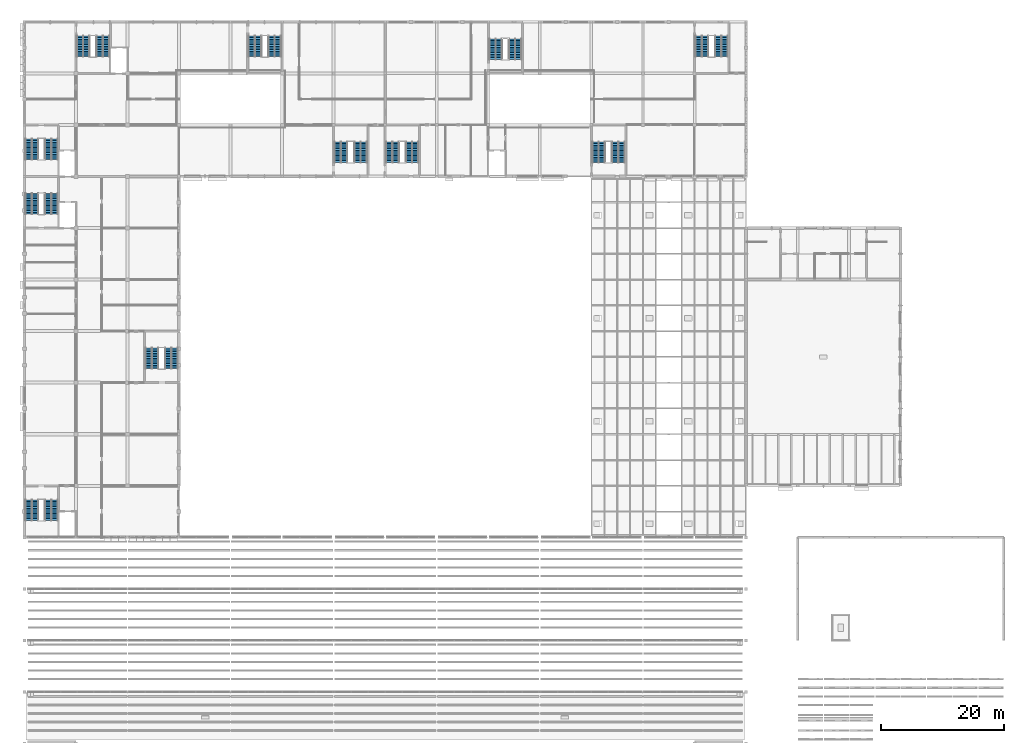
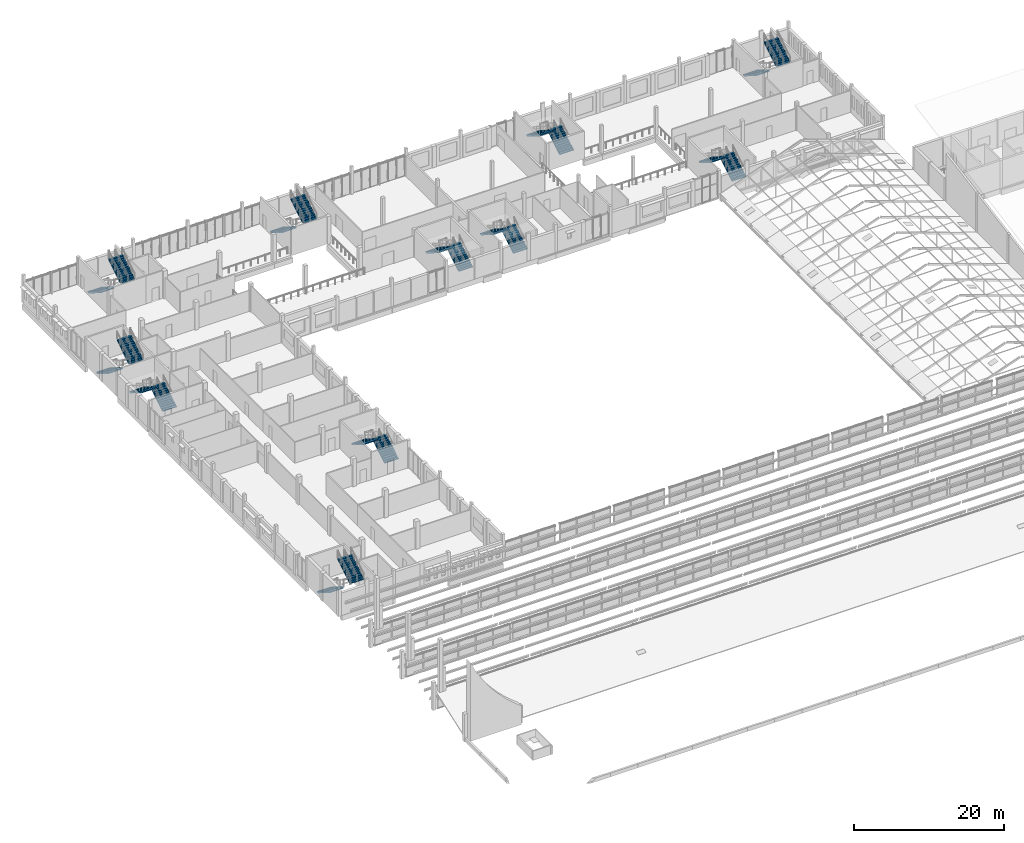
# One storey, part 106 of 116: 22 stair flights, 11 elements without a shape of their own.
"""IFC4 building model written with IfcOpenShell, lengths in metres."""

from ifc_helpers import new_model, si_unit, direction, frame, origin, place, context, subcontext, project, spatial, polyline, outline, extrude, material, type_object, element, aggregate, save


model = new_model("IFC4")

# Units and contexts
model_context = context("Model", 3, precision=1e-05, world=origin(), true_north=direction((0.0, 1.0)))
body_context = subcontext(model_context, "Body", "Model", "MODEL_VIEW")
ifc_project = project(units=[si_unit("LENGTHUNIT", "METRE"), si_unit("AREAUNIT", "SQUARE_METRE"), si_unit("VOLUMEUNIT", "CUBIC_METRE"), si_unit("PLANEANGLEUNIT", "RADIAN"), si_unit("MASSUNIT", "GRAM", prefix="KILO")], contexts=[model_context])

# Site, building, storey
site_placement = place(None, origin())
site = spatial("IfcSite", under=ifc_project, at=site_placement, CompositionType="ELEMENT")
building_placement = place(site_placement, origin())
building = spatial("IfcBuilding", under=site, at=building_placement, Name="Fescue Hill Polytechnic", CompositionType="ELEMENT")
storey_placement = place(building_placement, frame((0.0, 0.0, 13.5)))
storey = spatial("IfcBuildingStorey", under=building, at=storey_placement, Name="L03", CompositionType="ELEMENT", Elevation=13.5)

# Stair, stair flights
ifc_material = material(Name="Concrete 35 MPa", Category="concrete")
stair_type = type_object("IfcStairType", Name="Half-turn stair 2150 flights", PredefinedType="HALF_TURN_STAIR", material=ifc_material)
stair_1_placement = place(storey_placement, origin())
stair_1 = element("IfcStair", 1, at=stair_1_placement, inside=storey, type_object=stair_type, Name="L03 ST-V4-1 stair", PredefinedType="HALF_TURN_STAIR")
stair_flight_type = type_object("IfcStairFlightType", Name="Stair flight 2150 wide", PredefinedType="STRAIGHT", material=ifc_material)
stair_flight_1_placement = place(storey_placement, frame((1.22509765625, 56.52490234375, 0.0), z_axis=(0.0, 0.0, 1.0), x_axis=(0.0, -1.0, 0.0)))
stair_flight_1 = element("IfcStairFlight", 2, at=stair_flight_1_placement, type_object=stair_flight_type, Name="S15 flight 1", NumberOfRisers=13, NumberOfTreads=12, PredefinedType="STRAIGHT", RiserHeight=0.173076923, TreadLength=0.28, context=body_context, shape_type="SweptSolid", body=[
    extrude(outline(polyline([(0.0, 0.0), (0.0, 0.173095703125), (0.280029296875, 0.173095703125), (0.280029296875, 0.34619140625), (0.56005859375, 0.34619140625), (0.56005859375, 0.519287109375), (0.840087890625, 0.519287109375), (0.840087890625, 0.6923828125), (1.1201171875, 0.6923828125), (1.1201171875, 0.865478515625), (1.39990234375, 0.865478515625), (1.39990234375, 1.03857421875), (1.679931640625, 1.03857421875), (1.679931640625, 1.21142578125), (1.9599609375, 1.21142578125), (1.9599609375, 1.384521484375), (2.239990234375, 1.384521484375), (2.239990234375, 1.5576171875), (2.52001953125, 1.5576171875), (2.52001953125, 1.730712890625), (2.800048828125, 1.730712890625), (2.800048828125, 1.90380859375), (3.080078125, 1.90380859375), (3.080078125, 2.076904296875), (3.360107421875, 2.076904296875), (3.360107421875, 2.25), (3.360107421875, 1.900634765625), (0.28515625, 0.0), (0.0, 0.0)])), frame((0.0, 1.074951171875, 0.0), z_axis=(0.0, -1.0, 0.0), x_axis=(1.0, 0.0, 0.0)), (0.0, 0.0, 1.0), 2.14990234375),
])
stair_flight_2_placement = place(storey_placement, frame((4.39990234375, 53.1650390625, 2.25), z_axis=(0.0, 0.0, 1.0), x_axis=(0.0, 1.0, 0.0)))
stair_flight_2 = element("IfcStairFlight", 3, at=stair_flight_2_placement, type_object=stair_flight_type, Name="S15 flight 2", NumberOfRisers=13, NumberOfTreads=12, PredefinedType="STRAIGHT", RiserHeight=0.173076923, TreadLength=0.28, context=body_context, shape_type="SweptSolid", body=[
    extrude(outline(polyline([(0.0, 0.0), (0.0, 0.173095703125), (0.280029296875, 0.173095703125), (0.280029296875, 0.34619140625), (0.56005859375, 0.34619140625), (0.56005859375, 0.519287109375), (0.840087890625, 0.519287109375), (0.840087890625, 0.6923828125), (1.1201171875, 0.6923828125), (1.1201171875, 0.865478515625), (1.39990234375, 0.865478515625), (1.39990234375, 1.03857421875), (1.679931640625, 1.03857421875), (1.679931640625, 1.21142578125), (1.9599609375, 1.21142578125), (1.9599609375, 1.384521484375), (2.239990234375, 1.384521484375), (2.239990234375, 1.5576171875), (2.52001953125, 1.5576171875), (2.52001953125, 1.730712890625), (2.800048828125, 1.730712890625), (2.800048828125, 1.90380859375), (3.080078125, 1.90380859375), (3.080078125, 2.076904296875), (3.360107421875, 2.076904296875), (3.360107421875, 2.25), (3.360107421875, 1.900634765625), (0.28515625, 0.0), (0.0, 0.0)])), frame((0.0, 1.074951171875, 0.0), z_axis=(0.0, -1.0, 0.0), x_axis=(1.0, 0.0, 0.0)), (0.0, 0.0, 1.0), 2.14990234375),
])
aggregate(stair_1, [stair_flight_1, stair_flight_2])

stair_2_placement = place(storey_placement, origin())
stair_2 = element("IfcStair", 4, at=stair_2_placement, inside=storey, type_object=stair_type, Name="L03 ST-V4-2 stair", PredefinedType="HALF_TURN_STAIR")
stair_flight_3_placement = place(storey_placement, frame((4.39990234375, 103.074951171875, 0.0), z_axis=(0.0, 0.0, 1.0), x_axis=(0.0, 1.0, 0.0)))
stair_flight_3 = element("IfcStairFlight", 5, at=stair_flight_3_placement, type_object=stair_flight_type, Name="S16 flight 1", NumberOfRisers=13, NumberOfTreads=12, PredefinedType="STRAIGHT", RiserHeight=0.173076923, TreadLength=0.28, context=body_context, shape_type="SweptSolid", body=[
    extrude(outline(polyline([(0.0, 0.0), (0.0, 0.173095703125), (0.280029296875, 0.173095703125), (0.280029296875, 0.34619140625), (0.56005859375, 0.34619140625), (0.56005859375, 0.519287109375), (0.840087890625, 0.519287109375), (0.840087890625, 0.6923828125), (1.1201171875, 0.6923828125), (1.1201171875, 0.865478515625), (1.39990234375, 0.865478515625), (1.39990234375, 1.03857421875), (1.679931640625, 1.03857421875), (1.679931640625, 1.21142578125), (1.9599609375, 1.21142578125), (1.9599609375, 1.384521484375), (2.239990234375, 1.384521484375), (2.239990234375, 1.5576171875), (2.52001953125, 1.5576171875), (2.52001953125, 1.730712890625), (2.800048828125, 1.730712890625), (2.800048828125, 1.90380859375), (3.080078125, 1.90380859375), (3.080078125, 2.076904296875), (3.360107421875, 2.076904296875), (3.360107421875, 2.25), (3.360107421875, 1.900634765625), (0.28515625, 0.0), (0.0, 0.0)])), frame((0.0, 1.074951171875, 0.0), z_axis=(0.0, -1.0, 0.0), x_axis=(1.0, 0.0, 0.0)), (0.0, 0.0, 1.0), 2.14990234375),
])
stair_flight_4_placement = place(storey_placement, frame((1.22509765625, 106.43505859375, 2.25), z_axis=(0.0, 0.0, 1.0), x_axis=(0.0, -1.0, 0.0)))
stair_flight_4 = element("IfcStairFlight", 6, at=stair_flight_4_placement, type_object=stair_flight_type, Name="S16 flight 2", NumberOfRisers=13, NumberOfTreads=12, PredefinedType="STRAIGHT", RiserHeight=0.173076923, TreadLength=0.28, context=body_context, shape_type="SweptSolid", body=[
    extrude(outline(polyline([(0.0, 0.0), (0.0, 0.173095703125), (0.280029296875, 0.173095703125), (0.280029296875, 0.34619140625), (0.56005859375, 0.34619140625), (0.56005859375, 0.519287109375), (0.840087890625, 0.519287109375), (0.840087890625, 0.6923828125), (1.1201171875, 0.6923828125), (1.1201171875, 0.865478515625), (1.39990234375, 0.865478515625), (1.39990234375, 1.03857421875), (1.679931640625, 1.03857421875), (1.679931640625, 1.21142578125), (1.9599609375, 1.21142578125), (1.9599609375, 1.384521484375), (2.239990234375, 1.384521484375), (2.239990234375, 1.5576171875), (2.52001953125, 1.5576171875), (2.52001953125, 1.730712890625), (2.800048828125, 1.730712890625), (2.800048828125, 1.90380859375), (3.080078125, 1.90380859375), (3.080078125, 2.076904296875), (3.360107421875, 2.076904296875), (3.360107421875, 2.25), (3.360107421875, 1.900634765625), (0.28515625, 0.0), (0.0, 0.0)])), frame((0.0, 1.074951171875, 0.0), z_axis=(0.0, -1.0, 0.0), x_axis=(1.0, 0.0, 0.0)), (0.0, 0.0, 1.0), 2.14990234375),
])
aggregate(stair_2, [stair_flight_3, stair_flight_4])

stair_3_placement = place(storey_placement, origin())
stair_3 = element("IfcStair", 7, at=stair_3_placement, inside=storey, type_object=stair_type, Name="L03 ST-V4-3 stair", PredefinedType="HALF_TURN_STAIR")
stair_flight_5_placement = place(storey_placement, frame((23.97509765625, 77.875, 0.0), z_axis=(0.0, 0.0, 1.0), x_axis=(0.0, 1.0, 0.0)))
stair_flight_5 = element("IfcStairFlight", 8, at=stair_flight_5_placement, type_object=stair_flight_type, Name="S17 flight 1", NumberOfRisers=13, NumberOfTreads=12, PredefinedType="STRAIGHT", RiserHeight=0.173076923, TreadLength=0.28, context=body_context, shape_type="SweptSolid", body=[
    extrude(outline(polyline([(0.0, 0.0), (0.0, 0.173095703125), (0.280029296875, 0.173095703125), (0.280029296875, 0.34619140625), (0.56005859375, 0.34619140625), (0.56005859375, 0.519287109375), (0.840087890625, 0.519287109375), (0.840087890625, 0.6923828125), (1.1201171875, 0.6923828125), (1.1201171875, 0.865478515625), (1.39990234375, 0.865478515625), (1.39990234375, 1.03857421875), (1.679931640625, 1.03857421875), (1.679931640625, 1.21142578125), (1.9599609375, 1.21142578125), (1.9599609375, 1.384521484375), (2.239990234375, 1.384521484375), (2.239990234375, 1.5576171875), (2.52001953125, 1.5576171875), (2.52001953125, 1.730712890625), (2.800048828125, 1.730712890625), (2.800048828125, 1.90380859375), (3.080078125, 1.90380859375), (3.080078125, 2.076904296875), (3.360107421875, 2.076904296875), (3.360107421875, 2.25), (3.360107421875, 1.900634765625), (0.28515625, 0.0), (0.0, 0.0)])), frame((0.0, 1.074951171875, 0.0), z_axis=(0.0, -1.0, 0.0), x_axis=(1.0, 0.0, 0.0)), (0.0, 0.0, 1.0), 2.14990234375),
])
stair_flight_6_placement = place(storey_placement, frame((20.800048828125, 81.235107421875, 2.25), z_axis=(0.0, 0.0, 1.0), x_axis=(0.0, -1.0, 0.0)))
stair_flight_6 = element("IfcStairFlight", 9, at=stair_flight_6_placement, type_object=stair_flight_type, Name="S17 flight 2", NumberOfRisers=13, NumberOfTreads=12, PredefinedType="STRAIGHT", RiserHeight=0.173076923, TreadLength=0.28, context=body_context, shape_type="SweptSolid", body=[
    extrude(outline(polyline([(0.0, 0.0), (0.0, 0.173095703125), (0.280029296875, 0.173095703125), (0.280029296875, 0.34619140625), (0.56005859375, 0.34619140625), (0.56005859375, 0.519287109375), (0.840087890625, 0.519287109375), (0.840087890625, 0.6923828125), (1.1201171875, 0.6923828125), (1.1201171875, 0.865478515625), (1.39990234375, 0.865478515625), (1.39990234375, 1.03857421875), (1.679931640625, 1.03857421875), (1.679931640625, 1.21142578125), (1.9599609375, 1.21142578125), (1.9599609375, 1.384521484375), (2.239990234375, 1.384521484375), (2.239990234375, 1.5576171875), (2.52001953125, 1.5576171875), (2.52001953125, 1.730712890625), (2.800048828125, 1.730712890625), (2.800048828125, 1.90380859375), (3.080078125, 1.90380859375), (3.080078125, 2.076904296875), (3.360107421875, 2.076904296875), (3.360107421875, 2.25), (3.360107421875, 1.900634765625), (0.28515625, 0.0), (0.0, 0.0)])), frame((0.0, 1.074951171875, 0.0), z_axis=(0.0, -1.0, 0.0), x_axis=(1.0, 0.0, 0.0)), (0.0, 0.0, 1.0), 2.14990234375),
])
aggregate(stair_3, [stair_flight_5, stair_flight_6])

stair_4_placement = place(storey_placement, origin())
stair_4 = element("IfcStair", 10, at=stair_4_placement, inside=storey, type_object=stair_type, Name="L03 ST-V5-1 stair", PredefinedType="HALF_TURN_STAIR")
stair_flight_7_placement = place(storey_placement, frame((1.22509765625, 115.324951171875, 0.0), z_axis=(0.0, 0.0, 1.0), x_axis=(0.0, -1.0, 0.0)))
stair_flight_7 = element("IfcStairFlight", 11, at=stair_flight_7_placement, type_object=stair_flight_type, Name="S18 flight 1", NumberOfRisers=13, NumberOfTreads=12, PredefinedType="STRAIGHT", RiserHeight=0.173076923, TreadLength=0.28, context=body_context, shape_type="SweptSolid", body=[
    extrude(outline(polyline([(0.0, 0.0), (0.0, 0.173095703125), (0.280029296875, 0.173095703125), (0.280029296875, 0.34619140625), (0.56005859375, 0.34619140625), (0.56005859375, 0.519287109375), (0.840087890625, 0.519287109375), (0.840087890625, 0.6923828125), (1.1201171875, 0.6923828125), (1.1201171875, 0.865478515625), (1.39990234375, 0.865478515625), (1.39990234375, 1.03857421875), (1.679931640625, 1.03857421875), (1.679931640625, 1.21142578125), (1.9599609375, 1.21142578125), (1.9599609375, 1.384521484375), (2.239990234375, 1.384521484375), (2.239990234375, 1.5576171875), (2.52001953125, 1.5576171875), (2.52001953125, 1.730712890625), (2.800048828125, 1.730712890625), (2.800048828125, 1.90380859375), (3.080078125, 1.90380859375), (3.080078125, 2.076904296875), (3.360107421875, 2.076904296875), (3.360107421875, 2.25), (3.360107421875, 1.900634765625), (0.28515625, 0.0), (0.0, 0.0)])), frame((0.0, 1.074951171875, 0.0), z_axis=(0.0, -1.0, 0.0), x_axis=(1.0, 0.0, 0.0)), (0.0, 0.0, 1.0), 2.14990234375),
])
stair_flight_8_placement = place(storey_placement, frame((4.39990234375, 111.965087890625, 2.25), z_axis=(0.0, 0.0, 1.0), x_axis=(0.0, 1.0, 0.0)))
stair_flight_8 = element("IfcStairFlight", 12, at=stair_flight_8_placement, type_object=stair_flight_type, Name="S18 flight 2", NumberOfRisers=13, NumberOfTreads=12, PredefinedType="STRAIGHT", RiserHeight=0.173076923, TreadLength=0.28, context=body_context, shape_type="SweptSolid", body=[
    extrude(outline(polyline([(0.0, 0.0), (0.0, 0.173095703125), (0.280029296875, 0.173095703125), (0.280029296875, 0.34619140625), (0.56005859375, 0.34619140625), (0.56005859375, 0.519287109375), (0.840087890625, 0.519287109375), (0.840087890625, 0.6923828125), (1.1201171875, 0.6923828125), (1.1201171875, 0.865478515625), (1.39990234375, 0.865478515625), (1.39990234375, 1.03857421875), (1.679931640625, 1.03857421875), (1.679931640625, 1.21142578125), (1.9599609375, 1.21142578125), (1.9599609375, 1.384521484375), (2.239990234375, 1.384521484375), (2.239990234375, 1.5576171875), (2.52001953125, 1.5576171875), (2.52001953125, 1.730712890625), (2.800048828125, 1.730712890625), (2.800048828125, 1.90380859375), (3.080078125, 1.90380859375), (3.080078125, 2.076904296875), (3.360107421875, 2.076904296875), (3.360107421875, 2.25), (3.360107421875, 1.900634765625), (0.28515625, 0.0), (0.0, 0.0)])), frame((0.0, 1.074951171875, 0.0), z_axis=(0.0, -1.0, 0.0), x_axis=(1.0, 0.0, 0.0)), (0.0, 0.0, 1.0), 2.14990234375),
])
aggregate(stair_4, [stair_flight_7, stair_flight_8])

stair_5_placement = place(storey_placement, origin())
stair_5 = element("IfcStair", 13, at=stair_5_placement, inside=storey, type_object=stair_type, Name="L03 ST-V5-2 stair", PredefinedType="HALF_TURN_STAIR")
stair_flight_9_placement = place(storey_placement, frame((37.60009765625, 132.10009765625, 0.0), z_axis=(0.0, 0.0, 1.0), x_axis=(0.0, -1.0, 0.0)))
stair_flight_9 = element("IfcStairFlight", 14, at=stair_flight_9_placement, type_object=stair_flight_type, Name="S19 flight 1", NumberOfRisers=13, NumberOfTreads=12, PredefinedType="STRAIGHT", RiserHeight=0.173076923, TreadLength=0.28, context=body_context, shape_type="SweptSolid", body=[
    extrude(outline(polyline([(0.0, 0.0), (0.0, 0.173095703125), (0.280029296875, 0.173095703125), (0.280029296875, 0.34619140625), (0.56005859375, 0.34619140625), (0.56005859375, 0.519287109375), (0.840087890625, 0.519287109375), (0.840087890625, 0.6923828125), (1.1201171875, 0.6923828125), (1.1201171875, 0.865478515625), (1.39990234375, 0.865478515625), (1.39990234375, 1.03857421875), (1.679931640625, 1.03857421875), (1.679931640625, 1.21142578125), (1.9599609375, 1.21142578125), (1.9599609375, 1.384521484375), (2.239990234375, 1.384521484375), (2.239990234375, 1.5576171875), (2.52001953125, 1.5576171875), (2.52001953125, 1.730712890625), (2.800048828125, 1.730712890625), (2.800048828125, 1.90380859375), (3.080078125, 1.90380859375), (3.080078125, 2.076904296875), (3.360107421875, 2.076904296875), (3.360107421875, 2.25), (3.360107421875, 1.900634765625), (0.28515625, 0.0), (0.0, 0.0)])), frame((0.0, 1.074951171875, 0.0), z_axis=(0.0, -1.0, 0.0), x_axis=(1.0, 0.0, 0.0)), (0.0, 0.0, 1.0), 2.14990234375),
])
stair_flight_10_placement = place(storey_placement, frame((40.800048828125, 128.739990234375, 2.25), z_axis=(0.0, 0.0, 1.0), x_axis=(0.0, 1.0, 0.0)))
stair_flight_10 = element("IfcStairFlight", 15, at=stair_flight_10_placement, type_object=stair_flight_type, Name="S19 flight 2", NumberOfRisers=13, NumberOfTreads=12, PredefinedType="STRAIGHT", RiserHeight=0.173076923, TreadLength=0.28, context=body_context, shape_type="SweptSolid", body=[
    extrude(outline(polyline([(0.0, 0.0), (0.0, 0.173095703125), (0.280029296875, 0.173095703125), (0.280029296875, 0.34619140625), (0.56005859375, 0.34619140625), (0.56005859375, 0.519287109375), (0.840087890625, 0.519287109375), (0.840087890625, 0.6923828125), (1.1201171875, 0.6923828125), (1.1201171875, 0.865478515625), (1.39990234375, 0.865478515625), (1.39990234375, 1.03857421875), (1.679931640625, 1.03857421875), (1.679931640625, 1.21142578125), (1.9599609375, 1.21142578125), (1.9599609375, 1.384521484375), (2.239990234375, 1.384521484375), (2.239990234375, 1.5576171875), (2.52001953125, 1.5576171875), (2.52001953125, 1.730712890625), (2.800048828125, 1.730712890625), (2.800048828125, 1.90380859375), (3.080078125, 1.90380859375), (3.080078125, 2.076904296875), (3.360107421875, 2.076904296875), (3.360107421875, 2.25), (3.360107421875, 1.900634765625), (0.28515625, 0.0), (0.0, 0.0)])), frame((0.0, 1.074951171875, 0.0), z_axis=(0.0, -1.0, 0.0), x_axis=(1.0, 0.0, 0.0)), (0.0, 0.0, 1.0), 2.14990234375),
])
aggregate(stair_5, [stair_flight_9, stair_flight_10])

stair_6_placement = place(storey_placement, origin())
stair_6 = element("IfcStair", 16, at=stair_6_placement, inside=storey, type_object=stair_type, Name="L03 ST-V5-3 stair", PredefinedType="HALF_TURN_STAIR")
stair_flight_11_placement = place(storey_placement, frame((9.60009765625, 132.10009765625, 0.0), z_axis=(0.0, 0.0, 1.0), x_axis=(0.0, -1.0, 0.0)))
stair_flight_11 = element("IfcStairFlight", 17, at=stair_flight_11_placement, type_object=stair_flight_type, Name="S20 flight 1", NumberOfRisers=13, NumberOfTreads=12, PredefinedType="STRAIGHT", RiserHeight=0.173076923, TreadLength=0.28, context=body_context, shape_type="SweptSolid", body=[
    extrude(outline(polyline([(0.0, 0.0), (0.0, 0.173095703125), (0.280029296875, 0.173095703125), (0.280029296875, 0.34619140625), (0.56005859375, 0.34619140625), (0.56005859375, 0.519287109375), (0.840087890625, 0.519287109375), (0.840087890625, 0.6923828125), (1.1201171875, 0.6923828125), (1.1201171875, 0.865478515625), (1.39990234375, 0.865478515625), (1.39990234375, 1.03857421875), (1.679931640625, 1.03857421875), (1.679931640625, 1.21142578125), (1.9599609375, 1.21142578125), (1.9599609375, 1.384521484375), (2.239990234375, 1.384521484375), (2.239990234375, 1.5576171875), (2.52001953125, 1.5576171875), (2.52001953125, 1.730712890625), (2.800048828125, 1.730712890625), (2.800048828125, 1.90380859375), (3.080078125, 1.90380859375), (3.080078125, 2.076904296875), (3.360107421875, 2.076904296875), (3.360107421875, 2.25), (3.360107421875, 1.900634765625), (0.28515625, 0.0), (0.0, 0.0)])), frame((0.0, 1.074951171875, 0.0), z_axis=(0.0, -1.0, 0.0), x_axis=(1.0, 0.0, 0.0)), (0.0, 0.0, 1.0), 2.14990234375),
])
stair_flight_12_placement = place(storey_placement, frame((12.800048828125, 128.739990234375, 2.25), z_axis=(0.0, 0.0, 1.0), x_axis=(0.0, 1.0, 0.0)))
stair_flight_12 = element("IfcStairFlight", 18, at=stair_flight_12_placement, type_object=stair_flight_type, Name="S20 flight 2", NumberOfRisers=13, NumberOfTreads=12, PredefinedType="STRAIGHT", RiserHeight=0.173076923, TreadLength=0.28, context=body_context, shape_type="SweptSolid", body=[
    extrude(outline(polyline([(0.0, 0.0), (0.0, 0.173095703125), (0.280029296875, 0.173095703125), (0.280029296875, 0.34619140625), (0.56005859375, 0.34619140625), (0.56005859375, 0.519287109375), (0.840087890625, 0.519287109375), (0.840087890625, 0.6923828125), (1.1201171875, 0.6923828125), (1.1201171875, 0.865478515625), (1.39990234375, 0.865478515625), (1.39990234375, 1.03857421875), (1.679931640625, 1.03857421875), (1.679931640625, 1.21142578125), (1.9599609375, 1.21142578125), (1.9599609375, 1.384521484375), (2.239990234375, 1.384521484375), (2.239990234375, 1.5576171875), (2.52001953125, 1.5576171875), (2.52001953125, 1.730712890625), (2.800048828125, 1.730712890625), (2.800048828125, 1.90380859375), (3.080078125, 1.90380859375), (3.080078125, 2.076904296875), (3.360107421875, 2.076904296875), (3.360107421875, 2.25), (3.360107421875, 1.900634765625), (0.28515625, 0.0), (0.0, 0.0)])), frame((0.0, 1.074951171875, 0.0), z_axis=(0.0, -1.0, 0.0), x_axis=(1.0, 0.0, 0.0)), (0.0, 0.0, 1.0), 2.14990234375),
])
aggregate(stair_6, [stair_flight_11, stair_flight_12])

stair_7_placement = place(storey_placement, origin())
stair_7 = element("IfcStair", 19, at=stair_7_placement, inside=storey, type_object=stair_type, Name="L03 ST-V5-4 stair", PredefinedType="HALF_TURN_STAIR")
stair_flight_13_placement = place(storey_placement, frame((54.800048828125, 111.5, 0.0), z_axis=(0.0, 0.0, 1.0), x_axis=(0.0, 1.0, 0.0)))
stair_flight_13 = element("IfcStairFlight", 20, at=stair_flight_13_placement, type_object=stair_flight_type, Name="S21 flight 1", NumberOfRisers=13, NumberOfTreads=12, PredefinedType="STRAIGHT", RiserHeight=0.173076923, TreadLength=0.28, context=body_context, shape_type="SweptSolid", body=[
    extrude(outline(polyline([(0.0, 0.0), (0.0, 0.173095703125), (0.280029296875, 0.173095703125), (0.280029296875, 0.34619140625), (0.56005859375, 0.34619140625), (0.56005859375, 0.519287109375), (0.840087890625, 0.519287109375), (0.840087890625, 0.6923828125), (1.1201171875, 0.6923828125), (1.1201171875, 0.865478515625), (1.39990234375, 0.865478515625), (1.39990234375, 1.03857421875), (1.679931640625, 1.03857421875), (1.679931640625, 1.21142578125), (1.9599609375, 1.21142578125), (1.9599609375, 1.384521484375), (2.239990234375, 1.384521484375), (2.239990234375, 1.5576171875), (2.52001953125, 1.5576171875), (2.52001953125, 1.730712890625), (2.800048828125, 1.730712890625), (2.800048828125, 1.90380859375), (3.080078125, 1.90380859375), (3.080078125, 2.076904296875), (3.360107421875, 2.076904296875), (3.360107421875, 2.25), (3.360107421875, 1.900634765625), (0.28515625, 0.0), (0.0, 0.0)])), frame((0.0, 1.074951171875, 0.0), z_axis=(0.0, -1.0, 0.0), x_axis=(1.0, 0.0, 0.0)), (0.0, 0.0, 1.0), 2.14990234375),
])
stair_flight_14_placement = place(storey_placement, frame((51.60009765625, 114.860107421875, 2.25), z_axis=(0.0, 0.0, 1.0), x_axis=(0.0, -1.0, 0.0)))
stair_flight_14 = element("IfcStairFlight", 21, at=stair_flight_14_placement, type_object=stair_flight_type, Name="S21 flight 2", NumberOfRisers=13, NumberOfTreads=12, PredefinedType="STRAIGHT", RiserHeight=0.173076923, TreadLength=0.28, context=body_context, shape_type="SweptSolid", body=[
    extrude(outline(polyline([(0.0, 0.0), (0.0, 0.173095703125), (0.280029296875, 0.173095703125), (0.280029296875, 0.34619140625), (0.56005859375, 0.34619140625), (0.56005859375, 0.519287109375), (0.840087890625, 0.519287109375), (0.840087890625, 0.6923828125), (1.1201171875, 0.6923828125), (1.1201171875, 0.865478515625), (1.39990234375, 0.865478515625), (1.39990234375, 1.03857421875), (1.679931640625, 1.03857421875), (1.679931640625, 1.21142578125), (1.9599609375, 1.21142578125), (1.9599609375, 1.384521484375), (2.239990234375, 1.384521484375), (2.239990234375, 1.5576171875), (2.52001953125, 1.5576171875), (2.52001953125, 1.730712890625), (2.800048828125, 1.730712890625), (2.800048828125, 1.90380859375), (3.080078125, 1.90380859375), (3.080078125, 2.076904296875), (3.360107421875, 2.076904296875), (3.360107421875, 2.25), (3.360107421875, 1.900634765625), (0.28515625, 0.0), (0.0, 0.0)])), frame((0.0, 1.074951171875, 0.0), z_axis=(0.0, -1.0, 0.0), x_axis=(1.0, 0.0, 0.0)), (0.0, 0.0, 1.0), 2.14990234375),
])
aggregate(stair_7, [stair_flight_13, stair_flight_14])

stair_8_placement = place(storey_placement, origin())
stair_8 = element("IfcStair", 22, at=stair_8_placement, inside=storey, type_object=stair_type, Name="L03 ST-V4b-1 stair", PredefinedType="HALF_TURN_STAIR")
stair_flight_15_placement = place(storey_placement, frame((63.199951171875, 111.5, 0.0), z_axis=(0.0, 0.0, 1.0), x_axis=(0.0, 1.0, 0.0)))
stair_flight_15 = element("IfcStairFlight", 23, at=stair_flight_15_placement, type_object=stair_flight_type, Name="S22 flight 1", NumberOfRisers=13, NumberOfTreads=12, PredefinedType="STRAIGHT", RiserHeight=0.173076923, TreadLength=0.28, context=body_context, shape_type="SweptSolid", body=[
    extrude(outline(polyline([(0.0, 0.0), (0.0, 0.173095703125), (0.280029296875, 0.173095703125), (0.280029296875, 0.34619140625), (0.56005859375, 0.34619140625), (0.56005859375, 0.519287109375), (0.840087890625, 0.519287109375), (0.840087890625, 0.6923828125), (1.1201171875, 0.6923828125), (1.1201171875, 0.865478515625), (1.39990234375, 0.865478515625), (1.39990234375, 1.03857421875), (1.679931640625, 1.03857421875), (1.679931640625, 1.21142578125), (1.9599609375, 1.21142578125), (1.9599609375, 1.384521484375), (2.239990234375, 1.384521484375), (2.239990234375, 1.5576171875), (2.52001953125, 1.5576171875), (2.52001953125, 1.730712890625), (2.800048828125, 1.730712890625), (2.800048828125, 1.90380859375), (3.080078125, 1.90380859375), (3.080078125, 2.076904296875), (3.360107421875, 2.076904296875), (3.360107421875, 2.25), (3.360107421875, 1.900634765625), (0.28515625, 0.0), (0.0, 0.0)])), frame((0.0, 1.074951171875, 0.0), z_axis=(0.0, -1.0, 0.0), x_axis=(1.0, 0.0, 0.0)), (0.0, 0.0, 1.0), 2.14990234375),
])
stair_flight_16_placement = place(storey_placement, frame((60.0, 114.860107421875, 2.25), z_axis=(0.0, 0.0, 1.0), x_axis=(0.0, -1.0, 0.0)))
stair_flight_16 = element("IfcStairFlight", 24, at=stair_flight_16_placement, type_object=stair_flight_type, Name="S22 flight 2", NumberOfRisers=13, NumberOfTreads=12, PredefinedType="STRAIGHT", RiserHeight=0.173076923, TreadLength=0.28, context=body_context, shape_type="SweptSolid", body=[
    extrude(outline(polyline([(0.0, 0.0), (0.0, 0.173095703125), (0.280029296875, 0.173095703125), (0.280029296875, 0.34619140625), (0.56005859375, 0.34619140625), (0.56005859375, 0.519287109375), (0.840087890625, 0.519287109375), (0.840087890625, 0.6923828125), (1.1201171875, 0.6923828125), (1.1201171875, 0.865478515625), (1.39990234375, 0.865478515625), (1.39990234375, 1.03857421875), (1.679931640625, 1.03857421875), (1.679931640625, 1.21142578125), (1.9599609375, 1.21142578125), (1.9599609375, 1.384521484375), (2.239990234375, 1.384521484375), (2.239990234375, 1.5576171875), (2.52001953125, 1.5576171875), (2.52001953125, 1.730712890625), (2.800048828125, 1.730712890625), (2.800048828125, 1.90380859375), (3.080078125, 1.90380859375), (3.080078125, 2.076904296875), (3.360107421875, 2.076904296875), (3.360107421875, 2.25), (3.360107421875, 1.900634765625), (0.28515625, 0.0), (0.0, 0.0)])), frame((0.0, 1.074951171875, 0.0), z_axis=(0.0, -1.0, 0.0), x_axis=(1.0, 0.0, 0.0)), (0.0, 0.0, 1.0), 2.14990234375),
])
aggregate(stair_8, [stair_flight_15, stair_flight_16])

stair_9_placement = place(storey_placement, origin())
stair_9 = element("IfcStair", 25, at=stair_9_placement, inside=storey, type_object=stair_type, Name="L03 ST-V4b-2 stair", PredefinedType="HALF_TURN_STAIR")
stair_flight_17_placement = place(storey_placement, frame((110.39990234375, 132.10009765625, 0.0), z_axis=(0.0, 0.0, 1.0), x_axis=(0.0, -1.0, 0.0)))
stair_flight_17 = element("IfcStairFlight", 26, at=stair_flight_17_placement, type_object=stair_flight_type, Name="S23 flight 1", NumberOfRisers=13, NumberOfTreads=12, PredefinedType="STRAIGHT", RiserHeight=0.173076923, TreadLength=0.28, context=body_context, shape_type="SweptSolid", body=[
    extrude(outline(polyline([(0.0, 0.0), (0.0, 0.173095703125), (0.280029296875, 0.173095703125), (0.280029296875, 0.34619140625), (0.56005859375, 0.34619140625), (0.56005859375, 0.519287109375), (0.840087890625, 0.519287109375), (0.840087890625, 0.6923828125), (1.1201171875, 0.6923828125), (1.1201171875, 0.865478515625), (1.39990234375, 0.865478515625), (1.39990234375, 1.03857421875), (1.679931640625, 1.03857421875), (1.679931640625, 1.21142578125), (1.9599609375, 1.21142578125), (1.9599609375, 1.384521484375), (2.239990234375, 1.384521484375), (2.239990234375, 1.5576171875), (2.52001953125, 1.5576171875), (2.52001953125, 1.730712890625), (2.800048828125, 1.730712890625), (2.800048828125, 1.90380859375), (3.080078125, 1.90380859375), (3.080078125, 2.076904296875), (3.360107421875, 2.076904296875), (3.360107421875, 2.25), (3.360107421875, 1.900634765625), (0.28515625, 0.0), (0.0, 0.0)])), frame((0.0, 1.074951171875, 0.0), z_axis=(0.0, -1.0, 0.0), x_axis=(1.0, 0.0, 0.0)), (0.0, 0.0, 1.0), 2.14990234375),
])
stair_flight_18_placement = place(storey_placement, frame((113.60009765625, 128.739990234375, 2.25), z_axis=(0.0, 0.0, 1.0), x_axis=(0.0, 1.0, 0.0)))
stair_flight_18 = element("IfcStairFlight", 27, at=stair_flight_18_placement, type_object=stair_flight_type, Name="S23 flight 2", NumberOfRisers=13, NumberOfTreads=12, PredefinedType="STRAIGHT", RiserHeight=0.173076923, TreadLength=0.28, context=body_context, shape_type="SweptSolid", body=[
    extrude(outline(polyline([(0.0, 0.0), (0.0, 0.173095703125), (0.280029296875, 0.173095703125), (0.280029296875, 0.34619140625), (0.56005859375, 0.34619140625), (0.56005859375, 0.519287109375), (0.840087890625, 0.519287109375), (0.840087890625, 0.6923828125), (1.1201171875, 0.6923828125), (1.1201171875, 0.865478515625), (1.39990234375, 0.865478515625), (1.39990234375, 1.03857421875), (1.679931640625, 1.03857421875), (1.679931640625, 1.21142578125), (1.9599609375, 1.21142578125), (1.9599609375, 1.384521484375), (2.239990234375, 1.384521484375), (2.239990234375, 1.5576171875), (2.52001953125, 1.5576171875), (2.52001953125, 1.730712890625), (2.800048828125, 1.730712890625), (2.800048828125, 1.90380859375), (3.080078125, 1.90380859375), (3.080078125, 2.076904296875), (3.360107421875, 2.076904296875), (3.360107421875, 2.25), (3.360107421875, 1.900634765625), (0.28515625, 0.0), (0.0, 0.0)])), frame((0.0, 1.074951171875, 0.0), z_axis=(0.0, -1.0, 0.0), x_axis=(1.0, 0.0, 0.0)), (0.0, 0.0, 1.0), 2.14990234375),
])
aggregate(stair_9, [stair_flight_17, stair_flight_18])

stair_10_placement = place(storey_placement, origin())
stair_10 = element("IfcStair", 28, at=stair_10_placement, inside=storey, type_object=stair_type, Name="L03 ST-V4b-3 stair", PredefinedType="HALF_TURN_STAIR")
stair_flight_19_placement = place(storey_placement, frame((96.800048828125, 111.47509765625, 0.0), z_axis=(0.0, 0.0, 1.0), x_axis=(0.0, 1.0, 0.0)))
stair_flight_19 = element("IfcStairFlight", 29, at=stair_flight_19_placement, type_object=stair_flight_type, Name="S24 flight 1", NumberOfRisers=13, NumberOfTreads=12, PredefinedType="STRAIGHT", RiserHeight=0.173076923, TreadLength=0.28, context=body_context, shape_type="SweptSolid", body=[
    extrude(outline(polyline([(0.0, 0.0), (0.0, 0.173095703125), (0.280029296875, 0.173095703125), (0.280029296875, 0.34619140625), (0.56005859375, 0.34619140625), (0.56005859375, 0.519287109375), (0.840087890625, 0.519287109375), (0.840087890625, 0.6923828125), (1.1201171875, 0.6923828125), (1.1201171875, 0.865478515625), (1.39990234375, 0.865478515625), (1.39990234375, 1.03857421875), (1.679931640625, 1.03857421875), (1.679931640625, 1.21142578125), (1.9599609375, 1.21142578125), (1.9599609375, 1.384521484375), (2.239990234375, 1.384521484375), (2.239990234375, 1.5576171875), (2.52001953125, 1.5576171875), (2.52001953125, 1.730712890625), (2.800048828125, 1.730712890625), (2.800048828125, 1.90380859375), (3.080078125, 1.90380859375), (3.080078125, 2.076904296875), (3.360107421875, 2.076904296875), (3.360107421875, 2.25), (3.360107421875, 1.900634765625), (0.28515625, 0.0), (0.0, 0.0)])), frame((0.0, 1.074951171875, 0.0), z_axis=(0.0, -1.0, 0.0), x_axis=(1.0, 0.0, 0.0)), (0.0, 0.0, 1.0), 2.14990234375),
])
stair_flight_20_placement = place(storey_placement, frame((93.60009765625, 114.8349609375, 2.25), z_axis=(0.0, 0.0, 1.0), x_axis=(0.0, -1.0, 0.0)))
stair_flight_20 = element("IfcStairFlight", 30, at=stair_flight_20_placement, type_object=stair_flight_type, Name="S24 flight 2", NumberOfRisers=13, NumberOfTreads=12, PredefinedType="STRAIGHT", RiserHeight=0.173076923, TreadLength=0.28, context=body_context, shape_type="SweptSolid", body=[
    extrude(outline(polyline([(0.0, 0.0), (0.0, 0.173095703125), (0.280029296875, 0.173095703125), (0.280029296875, 0.34619140625), (0.56005859375, 0.34619140625), (0.56005859375, 0.519287109375), (0.840087890625, 0.519287109375), (0.840087890625, 0.6923828125), (1.1201171875, 0.6923828125), (1.1201171875, 0.865478515625), (1.39990234375, 0.865478515625), (1.39990234375, 1.03857421875), (1.679931640625, 1.03857421875), (1.679931640625, 1.21142578125), (1.9599609375, 1.21142578125), (1.9599609375, 1.384521484375), (2.239990234375, 1.384521484375), (2.239990234375, 1.5576171875), (2.52001953125, 1.5576171875), (2.52001953125, 1.730712890625), (2.800048828125, 1.730712890625), (2.800048828125, 1.90380859375), (3.080078125, 1.90380859375), (3.080078125, 2.076904296875), (3.360107421875, 2.076904296875), (3.360107421875, 2.25), (3.360107421875, 1.900634765625), (0.28515625, 0.0), (0.0, 0.0)])), frame((0.0, 1.074951171875, 0.0), z_axis=(0.0, -1.0, 0.0), x_axis=(1.0, 0.0, 0.0)), (0.0, 0.0, 1.0), 2.14990234375),
])
aggregate(stair_10, [stair_flight_19, stair_flight_20])

stair_11_placement = place(storey_placement, origin())
stair_11 = element("IfcStair", 31, at=stair_11_placement, inside=storey, type_object=stair_type, Name="L03 ST-V4b-4 stair", PredefinedType="HALF_TURN_STAIR")
stair_flight_21_placement = place(storey_placement, frame((80.0, 128.27490234375, 0.0), z_axis=(0.0, 0.0, 1.0), x_axis=(0.0, 1.0, 0.0)))
stair_flight_21 = element("IfcStairFlight", 32, at=stair_flight_21_placement, type_object=stair_flight_type, Name="S25 flight 1", NumberOfRisers=13, NumberOfTreads=12, PredefinedType="STRAIGHT", RiserHeight=0.173076923, TreadLength=0.28, context=body_context, shape_type="SweptSolid", body=[
    extrude(outline(polyline([(0.0, 0.0), (0.0, 0.173095703125), (0.280029296875, 0.173095703125), (0.280029296875, 0.34619140625), (0.56005859375, 0.34619140625), (0.56005859375, 0.519287109375), (0.840087890625, 0.519287109375), (0.840087890625, 0.6923828125), (1.1201171875, 0.6923828125), (1.1201171875, 0.865478515625), (1.39990234375, 0.865478515625), (1.39990234375, 1.03857421875), (1.679931640625, 1.03857421875), (1.679931640625, 1.21142578125), (1.9599609375, 1.21142578125), (1.9599609375, 1.384521484375), (2.239990234375, 1.384521484375), (2.239990234375, 1.5576171875), (2.52001953125, 1.5576171875), (2.52001953125, 1.730712890625), (2.800048828125, 1.730712890625), (2.800048828125, 1.90380859375), (3.080078125, 1.90380859375), (3.080078125, 2.076904296875), (3.360107421875, 2.076904296875), (3.360107421875, 2.25), (3.360107421875, 1.900634765625), (0.28515625, 0.0), (0.0, 0.0)])), frame((0.0, 1.074951171875, 0.0), z_axis=(0.0, -1.0, 0.0), x_axis=(1.0, 0.0, 0.0)), (0.0, 0.0, 1.0), 2.14990234375),
])
stair_flight_22_placement = place(storey_placement, frame((76.800048828125, 131.635009765625, 2.25), z_axis=(0.0, 0.0, 1.0), x_axis=(0.0, -1.0, 0.0)))
stair_flight_22 = element("IfcStairFlight", 33, at=stair_flight_22_placement, type_object=stair_flight_type, Name="S25 flight 2", NumberOfRisers=13, NumberOfTreads=12, PredefinedType="STRAIGHT", RiserHeight=0.173076923, TreadLength=0.28, context=body_context, shape_type="SweptSolid", body=[
    extrude(outline(polyline([(0.0, 0.0), (0.0, 0.173095703125), (0.280029296875, 0.173095703125), (0.280029296875, 0.34619140625), (0.56005859375, 0.34619140625), (0.56005859375, 0.519287109375), (0.840087890625, 0.519287109375), (0.840087890625, 0.6923828125), (1.1201171875, 0.6923828125), (1.1201171875, 0.865478515625), (1.39990234375, 0.865478515625), (1.39990234375, 1.03857421875), (1.679931640625, 1.03857421875), (1.679931640625, 1.21142578125), (1.9599609375, 1.21142578125), (1.9599609375, 1.384521484375), (2.239990234375, 1.384521484375), (2.239990234375, 1.5576171875), (2.52001953125, 1.5576171875), (2.52001953125, 1.730712890625), (2.800048828125, 1.730712890625), (2.800048828125, 1.90380859375), (3.080078125, 1.90380859375), (3.080078125, 2.076904296875), (3.360107421875, 2.076904296875), (3.360107421875, 2.25), (3.360107421875, 1.900634765625), (0.28515625, 0.0), (0.0, 0.0)])), frame((0.0, 1.074951171875, 0.0), z_axis=(0.0, -1.0, 0.0), x_axis=(1.0, 0.0, 0.0)), (0.0, 0.0, 1.0), 2.14990234375),
])
aggregate(stair_11, [stair_flight_21, stair_flight_22])

save(model, "model.ifc")
